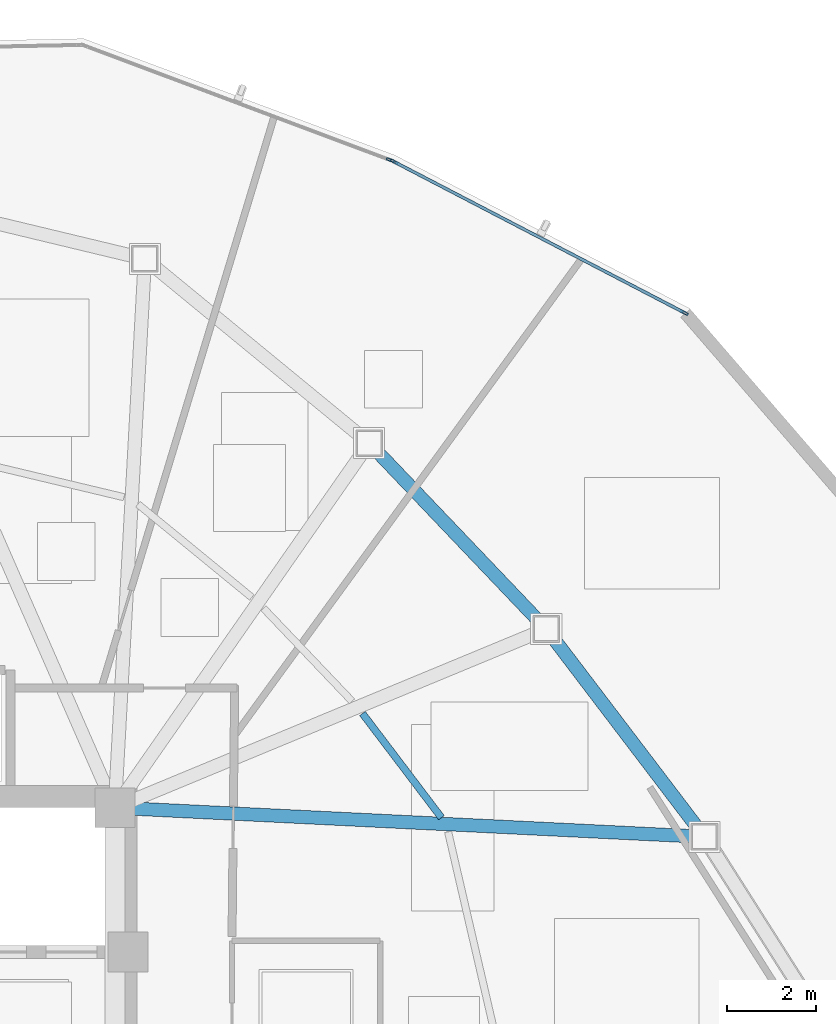
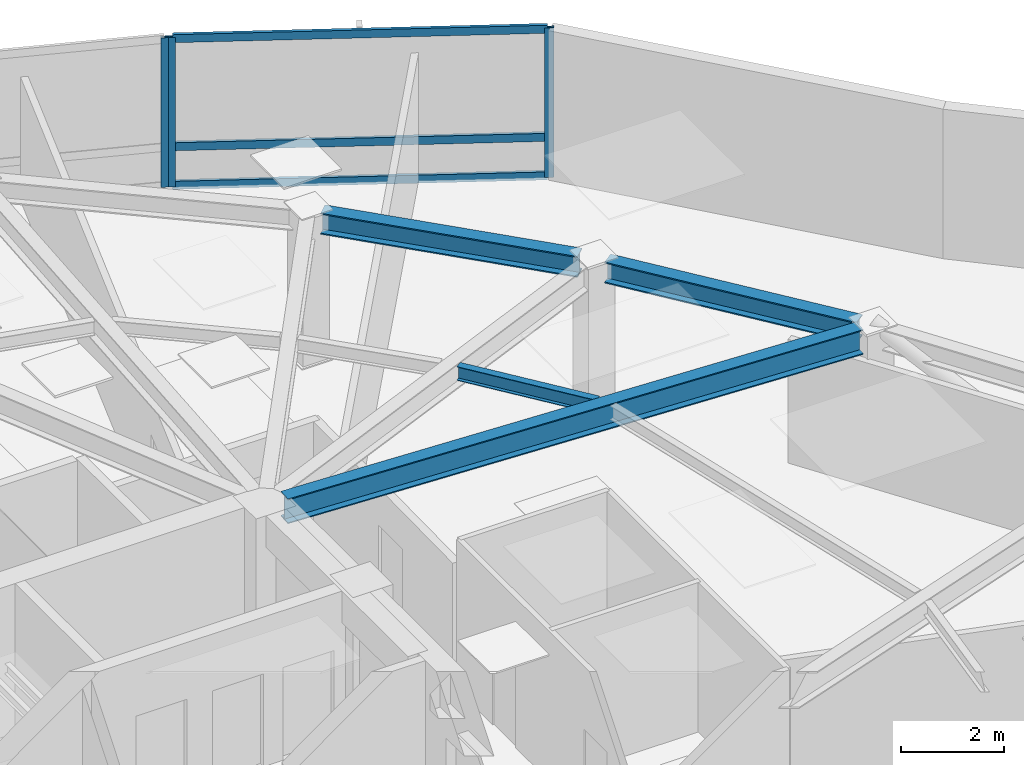
# One storey, part 9 of 17: 6 members, 4 beams, 2 elements without a shape of their own.
"""IFC4 building model written with IfcOpenShell, lengths in metres."""

from ifc_helpers import new_model, si_unit, direction, frame, origin, origin_2d, place, context, subcontext, project, spatial, hollow_rectangle, i_section, extrude, source, transform, mapped, material, layer, layer_set, material_profile, profile_set, type_object, type_shapes, element, aggregate, save


model = new_model("IFC4")

# Units and contexts
model_context = context("Model", 3, precision=1e-05, world=origin(), true_north=direction((0.0, 1.0)))
body_context = subcontext(model_context, "Body", "Model", "MODEL_VIEW")
ifc_project = project(units=[si_unit("LENGTHUNIT", "METRE"), si_unit("AREAUNIT", "SQUARE_METRE"), si_unit("VOLUMEUNIT", "CUBIC_METRE"), si_unit("PLANEANGLEUNIT", "RADIAN"), si_unit("MASSUNIT", "GRAM", prefix="KILO")], contexts=[model_context])

# Site, building, storey
site_placement = place(None, origin())
site = spatial("IfcSite", under=ifc_project, at=site_placement, CompositionType="ELEMENT")
building_placement = place(site_placement, origin())
building = spatial("IfcBuilding", under=site, at=building_placement, Name="Tavelor Broadcast Tower", CompositionType="ELEMENT")
storey_placement = place(building_placement, frame((0.0, 0.0, 184.89990234375)))
storey = spatial("IfcBuildingStorey", under=building, at=storey_placement, Name="L44", CompositionType="ELEMENT", Elevation=184.89990234375)

# Beams
ifc_material_1 = material(Name="Steel S355", Category="steel")
ifc_material_profile_1 = material_profile(ifc_material_1, i_section(OverallWidth=0.159912109375, OverallDepth=0.330078125, WebThickness=0.007568359375, FlangeThickness=0.011474609375, at=origin_2d()), Name="IPE 330")
ifc_profile_set_1 = profile_set([ifc_material_profile_1], Name="Steel S355")
beam_type_1 = type_object("IfcBeamType", Name="Composite Floor Joist T4 IPE 330", PredefinedType="JOIST", material=ifc_profile_set_1)
beam_1_placement = place(storey_placement, frame((63.959716796875, 50.9755859375, 3.385009765625), z_axis=(-0.604116162247, 0.796896268351, 0.0), x_axis=(-0.796896268351, -0.604116162247, 0.0)))
element("IfcBeam", 1, at=beam_1_placement, inside=storey, type_object=beam_type_1, Name="L44 Secondary Composite Floor Joist 14", PredefinedType="JOIST", context=body_context, shape_type="SweptSolid", body=[
    extrude(i_section(OverallWidth=0.159912109375, OverallDepth=0.330078125, WebThickness=0.007568359375, FlangeThickness=0.011474609375, at=origin_2d()), origin(), (0.0, 0.0, 1.0), 2.94580078125),
])
ifc_material_profile_2 = material_profile(ifc_material_1, i_section(OverallWidth=0.300048828125, OverallDepth=0.5, WebThickness=0.014404296875, FlangeThickness=0.028076171875, at=origin_2d()), Name="HEB 500")
ifc_profile_set_2 = profile_set([ifc_material_profile_2], Name="Steel S355")
beam_type_2 = type_object("IfcBeamType", Name="Perimeter Spandrel Beam T4 HEB 500", PredefinedType="SPANDREL", material=ifc_profile_set_2)
beam_2_placement = place(storey_placement, frame((69.711669921875, 50.7734375, 3.300048828125), z_axis=(-0.605502841959, 0.795843143075, 0.0), x_axis=(-0.795843143075, -0.605502841959, 0.0)))
element("IfcBeam", 2, at=beam_2_placement, inside=storey, type_object=beam_type_2, Name="L44 Framed-Tube Ring Spandrel 14", PredefinedType="SPANDREL", context=body_context, shape_type="SweptSolid", body=[
    extrude(i_section(OverallWidth=0.300048828125, OverallDepth=0.5, WebThickness=0.014404296875, FlangeThickness=0.028076171875, at=origin_2d()), origin(), (0.0, 0.0, 1.0), 5.310302734375),
])
beam_3_placement = place(storey_placement, frame((66.123291015625, 55.437255859375, 3.300048828125), z_axis=(-0.689936010055, 0.723870362723, 0.0), x_axis=(-0.723870362723, -0.689936010055, 0.0)))
element("IfcBeam", 3, at=beam_3_placement, inside=storey, type_object=beam_type_2, Name="L44 Framed-Tube Ring Spandrel 15", PredefinedType="SPANDREL", context=body_context, shape_type="SweptSolid", body=[
    extrude(i_section(OverallWidth=0.300048828125, OverallDepth=0.5, WebThickness=0.014404296875, FlangeThickness=0.028076171875, at=origin_2d()), origin(), (0.0, 0.0, 1.0), 5.208740234375),
])
ifc_material_profile_3 = material_profile(ifc_material_1, i_section(OverallWidth=0.300048828125, OverallDepth=0.590087890625, WebThickness=0.012939453125, FlangeThickness=0.02490234375, at=origin_2d()), Name="HEA 600")
ifc_profile_set_3 = profile_set([ifc_material_profile_3], Name="Steel S355")
beam_type_3 = type_object("IfcBeamType", Name="Radial Floor Girder T4 HEA 600", PredefinedType="BEAM", material=ifc_profile_set_3)
beam_4_placement = place(storey_placement, frame((57.031494140625, 51.1787109375, 3.255126953125), z_axis=(0.998783784198, -0.049304689662, 0.0), x_axis=(0.049304689662, 0.998783784198, 0.0)))
element("IfcBeam", 4, at=beam_4_placement, inside=storey, type_object=beam_type_3, Name="L44 Radial Primary Floor Girder 14", PredefinedType="BEAM", context=body_context, shape_type="SweptSolid", body=[
    extrude(i_section(OverallWidth=0.300048828125, OverallDepth=0.590087890625, WebThickness=0.012939453125, FlangeThickness=0.02490234375, at=origin_2d()), origin(), (0.0, 0.0, 1.0), 12.582275390625),
])

# Curtain wall, members
ifc_material_2 = material(Name="Architectural Anodized Aluminium", Category="aluminium")
ifc_layer = layer(ifc_material_2, 0.18994140625)
ifc_layer_set = layer_set([ifc_layer], Name="Architectural Anodized Aluminium")
curtain_wall_type = type_object("IfcCurtainWallType", Name="Tower Mid-Zone Acoustic Curtain Wall CW03", PredefinedType="NOTDEFINED", material=ifc_layer_set)
curtain_wall_1_placement = place(storey_placement, origin())
curtain_wall_1 = element("IfcCurtainWall", 5, at=curtain_wall_1_placement, inside=storey, type_object=curtain_wall_type, Name="L44 Curtain Wall CW03 Run 477", PredefinedType="NOTDEFINED")
ifc_material_profile_4 = material_profile(ifc_material_2, hollow_rectangle(XDim=0.068115234375, YDim=0.18994140625, WallThickness=0.02197265625, at=origin_2d()), Name="RHS 68x190x22")
ifc_profile_set_4 = profile_set([ifc_material_profile_4], Name="Architectural Anodized Aluminium")
member_type_1 = type_object("IfcMemberType", Name="CW03 Extruded Aluminium Mullion 68x190", PredefinedType="MULLION", material=ifc_profile_set_4)
shared_shape_1 = source(origin(), body_context, "Body", "SweptSolid", [
    extrude(hollow_rectangle(XDim=0.068115234375, YDim=0.18994140625, WallThickness=0.02197265625, at=origin_2d()), origin(), (0.0, 0.0, 1.0), 3.550048828125),
])
type_shapes(member_type_1, [shared_shape_1])
member_1_placement = place(storey_placement, frame((69.4326171875, 62.35546875, 0.0), z_axis=(0.0, 0.0, 1.0), x_axis=(-0.461372211193, -0.887206674197, 0.0)))
member_1 = element("IfcMember", 6, at=member_1_placement, type_object=member_type_1, Name="CW03 mullion 1", PredefinedType="MULLION", context=body_context, shape_type="MappedRepresentation", body=[
    mapped(shared_shape_1, transform((0.0, 0.0, 0.0), scale=1.0)),
])
member_2_placement = place(storey_placement, frame((62.89453125, 65.755615234375, 0.0), z_axis=(0.0, 0.0, 1.0), x_axis=(-0.461372211193, -0.887206674197, 0.0)))
member_2 = element("IfcMember", 7, at=member_2_placement, type_object=member_type_1, Name="CW03 mullion 2", PredefinedType="MULLION", context=body_context, shape_type="MappedRepresentation", body=[
    mapped(shared_shape_1, transform((0.0, 0.0, 0.0), scale=1.0)),
])

# Curtain wall, member
curtain_wall_2_placement = place(storey_placement, origin())
curtain_wall_2 = element("IfcCurtainWall", 8, at=curtain_wall_2_placement, inside=storey, type_object=curtain_wall_type, Name="L44 Curtain Wall CW03 Run 478", PredefinedType="NOTDEFINED")
member_3_placement = place(storey_placement, frame((62.80517578125, 65.79541015625, 0.0), z_axis=(0.0, 0.0, 1.0), x_axis=(-0.350608091996, -0.936522271933, 0.0)))
member_3 = element("IfcMember", 9, at=member_3_placement, type_object=member_type_1, Name="CW03 mullion 1", PredefinedType="MULLION", context=body_context, shape_type="MappedRepresentation", body=[
    mapped(shared_shape_1, transform((0.0, 0.0, 0.0), scale=1.0)),
])
aggregate(curtain_wall_2, [member_3])

# Member
ifc_material_profile_5 = material_profile(ifc_material_2, hollow_rectangle(XDim=0.068115234375, YDim=0.18994140625, WallThickness=0.02197265625, at=origin_2d()), Name="RHS 68x190x22")
ifc_profile_set_5 = profile_set([ifc_material_profile_5], Name="Architectural Anodized Aluminium")
member_type_2 = type_object("IfcMemberType", Name="CW03 Extruded Aluminium Transom 68x190", PredefinedType="USERDEFINED", material=ifc_profile_set_5)
shared_shape_2 = source(origin(), body_context, "Body", "SweptSolid", [
    extrude(hollow_rectangle(XDim=0.068115234375, YDim=0.18994140625, WallThickness=0.02197265625, at=origin_2d()), origin(), (0.0, 0.0, 1.0), 7.301025390625),
])
type_shapes(member_type_2, [shared_shape_2])
member_4_placement = place(storey_placement, frame((69.40234375, 62.371337890625, 0.0341796875), z_axis=(-0.887211873728, 0.461362212492, 0.0), x_axis=(-0.461362212492, -0.887211873728, 0.0)))
member_4 = element("IfcMember", 10, at=member_4_placement, type_object=member_type_2, Name="CW03 transom 1.1", ObjectType="TRANSOM", PredefinedType="USERDEFINED", context=body_context, shape_type="MappedRepresentation", body=[
    mapped(shared_shape_2, transform((0.0, 0.0, 0.0), scale=1.0)),
])

member_5_placement = place(storey_placement, frame((69.40234375, 62.371337890625, 0.9501953125), z_axis=(-0.887211873728, 0.461362212492, 0.0), x_axis=(-0.461362212492, -0.887211873728, 0.0)))
member_5 = element("IfcMember", 11, at=member_5_placement, type_object=member_type_2, Name="CW03 transom 1.2", ObjectType="TRANSOM", PredefinedType="USERDEFINED", context=body_context, shape_type="MappedRepresentation", body=[
    mapped(shared_shape_2, transform((0.0, 0.0, 0.0), scale=1.0)),
])

member_6_placement = place(storey_placement, frame((69.40234375, 62.371337890625, 3.51611328125), z_axis=(-0.887211873728, 0.461362212492, 0.0), x_axis=(-0.461362212492, -0.887211873728, 0.0)))
member_6 = element("IfcMember", 12, at=member_6_placement, type_object=member_type_2, Name="CW03 transom 1.3", ObjectType="TRANSOM", PredefinedType="USERDEFINED", context=body_context, shape_type="MappedRepresentation", body=[
    mapped(shared_shape_2, transform((0.0, 0.0, 0.0), scale=1.0)),
])

aggregate(curtain_wall_1, [member_1, member_2, member_4, member_5, member_6])

save(model, "model.ifc")
